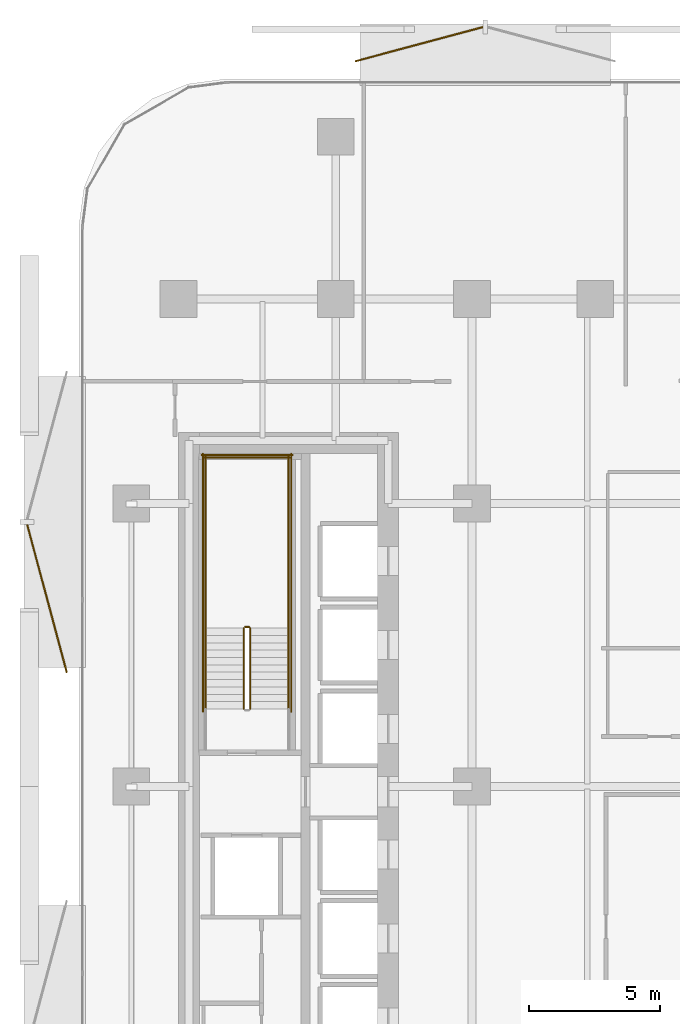
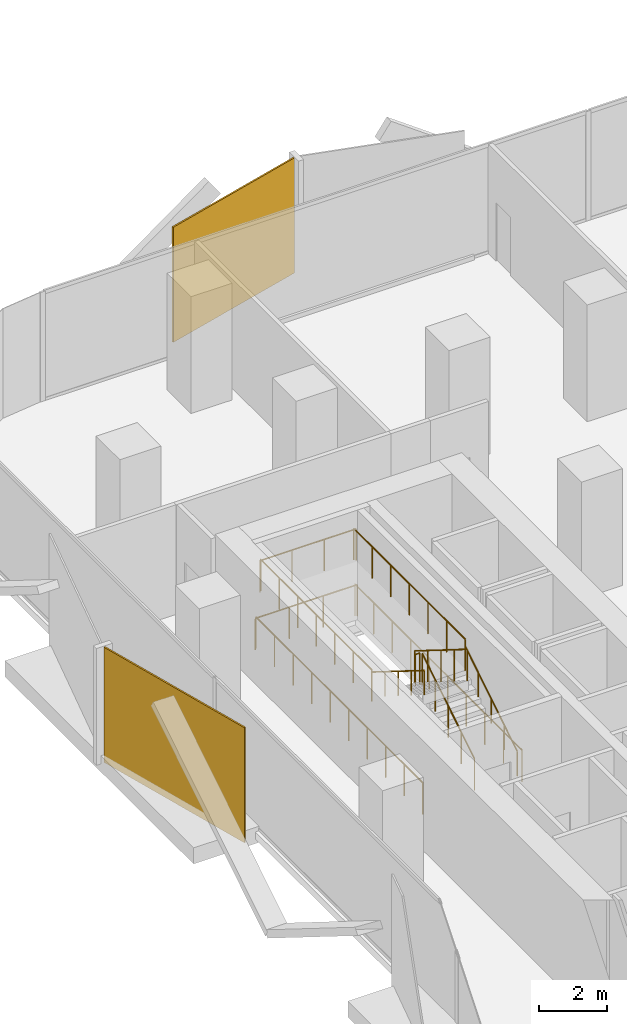
# One storey, part 14 of 15: 11 railings, 2 coverings.
"""IFC4 building model written with IfcOpenShell, lengths in metres."""

from ifc_helpers import new_model, si_unit, direction, frame, origin, origin_2d, place, context, subcontext, project, spatial, rectangle, circle, extrude, material, layer, layer_set, type_object, element, save


model = new_model("IFC4")

# Units and contexts
model_context = context("Model", 3, precision=1e-05, world=origin(), true_north=direction((0.0, 1.0)))
body_context = subcontext(model_context, "Body", "Model", "MODEL_VIEW")
ifc_project = project(units=[si_unit("LENGTHUNIT", "METRE"), si_unit("AREAUNIT", "SQUARE_METRE"), si_unit("VOLUMEUNIT", "CUBIC_METRE"), si_unit("PLANEANGLEUNIT", "RADIAN"), si_unit("MASSUNIT", "GRAM", prefix="KILO")], contexts=[model_context])

# Site, building, storey
site_placement = place(None, origin())
site = spatial("IfcSite", under=ifc_project, at=site_placement, CompositionType="ELEMENT")
building_placement = place(site_placement, origin())
building = spatial("IfcBuilding", under=site, at=building_placement, Name="Khairoan Windgate Tower", CompositionType="ELEMENT")
storey_placement = place(building_placement, frame((0.0, 0.0, 76.39990234375)))
storey = spatial("IfcBuildingStorey", under=building, at=storey_placement, Name="L18", CompositionType="ELEMENT", Elevation=76.39990234375)

# Coverings
ifc_material_1 = material(Name="Anodised Bronze Aluminium 6063-T6", Category="aluminium")
ifc_layer = layer(ifc_material_1, 0.054931640625, Name="Anodised Bronze Aluminium 6063-T6")
ifc_layer_set = layer_set([ifc_layer], Name="Anodised Bronze Aluminium 6063-T6")
covering_type = type_object("IfcCoveringType", Name="Perforated Bronze-Ceramic Folded Solar Screen Cladding BSC-1", PredefinedType="CLADDING", material=ifc_layer_set)
covering_1_placement = place(storey_placement, frame((-25.42236328125, 7.177734375, -0.099609375), z_axis=(0.0, 0.0, 1.0), x_axis=(-0.258819045103, 0.965925826289, 0.0)))
element("IfcCovering", 1, at=covering_1_placement, inside=storey, type_object=covering_type, Name="L18 Folded Bronze Solar Screen Facet 100L", PredefinedType="CLADDING", context=body_context, shape_type="SweptSolid", body=[
    extrude(rectangle(XDim=5.85498046875, YDim=0.054931640625, at=origin_2d()), origin(), (0.0, 0.0, 1.0), 4.139892578125),
])
covering_2_placement = place(storey_placement, frame((-11.220947265625, 28.327392578125, -0.099609375), z_axis=(0.0, 0.0, 1.0), x_axis=(0.965925826289, 0.258819045103, 0.0)))
element("IfcCovering", 2, at=covering_2_placement, inside=storey, type_object=covering_type, Name="L18 Folded Bronze Solar Screen Facet 101L", PredefinedType="CLADDING", context=body_context, shape_type="SweptSolid", body=[
    extrude(rectangle(XDim=5.04296875, YDim=0.054931640625, at=origin_2d()), origin(), (0.0, 0.0, 1.0), 4.139892578125),
])

# Railings
ifc_material_2 = material(Name="Anodised Bronze Aluminium 6063-T6", Category="aluminium")
railing_type_1 = type_object("IfcRailingType", Name="Stair Wall Handrail SHR-900", PredefinedType="HANDRAIL", material=ifc_material_2)
railing_1_placement = place(storey_placement, frame((-16.199951171875, 2.9599609375, 0.175048828125)))
element("IfcRailing", 3, at=railing_1_placement, inside=storey, type_object=railing_type_1, Name="L18 ST2 stair handrail 1", PredefinedType="HANDRAIL", context=body_context, shape_type="SweptSolid", body=[
    extrude(circle(Radius=0.02392578125, at=origin_2d()), frame((0.0, 0.0, 0.8759765625), z_axis=(0.0, 0.847998304005, 0.529998940003), x_axis=(-1.0, 0.0, 0.0)), (0.0, 0.0, 1.0), 3.632080078125),
    extrude(circle(Radius=0.02099609375, at=origin_2d()), origin(), (0.0, 0.0, 1.0), 0.851806640625),
    extrude(circle(Radius=0.02099609375, at=origin_2d()), frame((0.0, 0.77001953125, 0.481201171875)), (0.0, 0.0, 1.0), 0.851806640625),
    extrude(circle(Radius=0.02099609375, at=origin_2d()), frame((0.0, 1.5400390625, 0.96240234375)), (0.0, 0.0, 1.0), 0.851806640625),
    extrude(circle(Radius=0.02099609375, at=origin_2d()), frame((0.0, 2.31005859375, 1.44384765625)), (0.0, 0.0, 1.0), 0.851806640625),
    extrude(circle(Radius=0.02099609375, at=origin_2d()), frame((0.0, 3.080078125, 1.925048828125)), (0.0, 0.0, 1.0), 0.851806640625),
])
railing_2_placement = place(storey_placement, frame((-19.3701171875, 6.0400390625, 2.275146484375)))
element("IfcRailing", 4, at=railing_2_placement, inside=storey, type_object=railing_type_1, Name="L18 ST2 stair handrail 2", PredefinedType="HANDRAIL", context=body_context, shape_type="SweptSolid", body=[
    extrude(circle(Radius=0.02392578125, at=origin_2d()), frame((0.0, 0.0, 0.8759765625), z_axis=(0.0, -0.847998304005, 0.529998940003), x_axis=(1.0, 0.0, 0.0)), (0.0, 0.0, 1.0), 3.632080078125),
    extrude(circle(Radius=0.02099609375, at=origin_2d()), origin(), (0.0, 0.0, 1.0), 0.851806640625),
    extrude(circle(Radius=0.02099609375, at=origin_2d()), frame((0.0, -0.77001953125, 0.481201171875)), (0.0, 0.0, 1.0), 0.851806640625),
    extrude(circle(Radius=0.02099609375, at=origin_2d()), frame((0.0, -1.5400390625, 0.96240234375)), (0.0, 0.0, 1.0), 0.851806640625),
    extrude(circle(Radius=0.02099609375, at=origin_2d()), frame((0.0, -2.31005859375, 1.44384765625)), (0.0, 0.0, 1.0), 0.851806640625),
    extrude(circle(Radius=0.02099609375, at=origin_2d()), frame((0.0, -3.080078125, 1.925048828125)), (0.0, 0.0, 1.0), 0.851806640625),
])
ifc_material_3 = material(Name="Steel S355", Category="steel")
railing_type_2 = type_object("IfcRailingType", Name="Stairwell Safety Guardrail SGR-1150", PredefinedType="GUARDRAIL", material=ifc_material_3)
railing_3_placement = place(storey_placement, frame((-17.659912109375, 2.9599609375, 0.175048828125)))
element("IfcRailing", 5, at=railing_3_placement, inside=storey, type_object=railing_type_2, Name="L18 ST2 stair guard 1", PredefinedType="GUARDRAIL", context=body_context, shape_type="SweptSolid", body=[
    extrude(circle(Radius=0.02392578125, at=origin_2d()), frame((0.0, 0.0, 1.1259765625), z_axis=(0.0, 0.847998304005, 0.529998940003), x_axis=(-1.0, 0.0, 0.0)), (0.0, 0.0, 1.0), 3.632080078125),
    extrude(circle(Radius=0.02099609375, at=origin_2d()), origin(), (0.0, 0.0, 1.0), 1.101806640625),
    extrude(circle(Radius=0.02099609375, at=origin_2d()), frame((0.0, 0.77001953125, 0.481201171875)), (0.0, 0.0, 1.0), 1.101806640625),
    extrude(circle(Radius=0.02099609375, at=origin_2d()), frame((0.0, 1.5400390625, 0.96240234375)), (0.0, 0.0, 1.0), 1.101806640625),
    extrude(circle(Radius=0.02099609375, at=origin_2d()), frame((0.0, 2.31005859375, 1.44384765625)), (0.0, 0.0, 1.0), 1.101806640625),
    extrude(circle(Radius=0.02099609375, at=origin_2d()), frame((0.0, 3.080078125, 1.925048828125)), (0.0, 0.0, 1.0), 1.101806640625),
])
railing_4_placement = place(storey_placement, frame((-17.7099609375, 6.090087890625, 2.10009765625)))
element("IfcRailing", 6, at=railing_4_placement, inside=storey, type_object=railing_type_2, Name="L18 ST2 stair guard 2", PredefinedType="GUARDRAIL", context=body_context, shape_type="SweptSolid", body=[
    extrude(circle(Radius=0.02392578125, at=origin_2d()), frame((0.0, 0.0, 1.1259765625), z_axis=(-1.0, 0.0, 0.0), x_axis=(0.0, -1.0, 0.0)), (0.0, 0.0, 1.0), 0.150146484375),
    extrude(circle(Radius=0.02099609375, at=origin_2d()), origin(), (0.0, 0.0, 1.0), 1.101806640625),
    extrude(circle(Radius=0.02099609375, at=origin_2d()), frame((-0.150146484375, 0.0, 0.0)), (0.0, 0.0, 1.0), 1.101806640625),
])
for number, where, name in (
    (7, (-16.199951171875, 6.0400390625, 2.10009765625), "L18 ST2 stair guard 3"),
    (8, (-19.3701171875, 6.0400390625, 2.10009765625), "L18 ST2 stair guard 4"),
):
    element("IfcRailing", number, at=place(storey_placement, frame(where)), inside=storey, type_object=railing_type_2, Name=name, PredefinedType="GUARDRAIL", context=body_context, shape_type="SweptSolid", body=[
        extrude(circle(Radius=0.02392578125, at=origin_2d()), frame((0.0, 0.0, 1.1259765625), z_axis=(0.0, 1.0, 0.0), x_axis=(-1.0, 0.0, 0.0)), (0.0, 0.0, 1.0), 6.56005859375),
        extrude(circle(Radius=0.02099609375, at=origin_2d()), origin(), (0.0, 0.0, 1.0), 1.101806640625),
        extrude(circle(Radius=0.02099609375, at=origin_2d()), frame((0.0, 1.09326171875, 0.0)), (0.0, 0.0, 1.0), 1.101806640625),
        extrude(circle(Radius=0.02099609375, at=origin_2d()), frame((0.0, 2.186767578125, 0.0)), (0.0, 0.0, 1.0), 1.101806640625),
        extrude(circle(Radius=0.02099609375, at=origin_2d()), frame((0.0, 3.280029296875, 0.0)), (0.0, 0.0, 1.0), 1.101806640625),
        extrude(circle(Radius=0.02099609375, at=origin_2d()), frame((0.0, 4.373291015625, 0.0)), (0.0, 0.0, 1.0), 1.101806640625),
        extrude(circle(Radius=0.02099609375, at=origin_2d()), frame((0.0, 5.466796875, 0.0)), (0.0, 0.0, 1.0), 1.101806640625),
        extrude(circle(Radius=0.02099609375, at=origin_2d()), frame((0.0, 6.56005859375, 0.0)), (0.0, 0.0, 1.0), 1.101806640625),
    ])
railing_5_placement = place(storey_placement, frame((-16.14990234375, 12.550048828125, 2.10009765625)))
element("IfcRailing", 9, at=railing_5_placement, inside=storey, type_object=railing_type_2, Name="L18 ST2 stair guard 5", PredefinedType="GUARDRAIL", context=body_context, shape_type="SweptSolid", body=[
    extrude(circle(Radius=0.02392578125, at=origin_2d()), frame((0.0, 0.0, 1.1259765625), z_axis=(-1.0, 0.0, 0.0), x_axis=(0.0, -1.0, 0.0)), (0.0, 0.0, 1.0), 3.27001953125),
    extrude(circle(Radius=0.02099609375, at=origin_2d()), origin(), (0.0, 0.0, 1.0), 1.101806640625),
    extrude(circle(Radius=0.02099609375, at=origin_2d()), frame((-1.090087890625, 0.0, 0.0)), (0.0, 0.0, 1.0), 1.101806640625),
    extrude(circle(Radius=0.02099609375, at=origin_2d()), frame((-2.179931640625, 0.0, 0.0)), (0.0, 0.0, 1.0), 1.101806640625),
    extrude(circle(Radius=0.02099609375, at=origin_2d()), frame((-3.27001953125, 0.0, 0.0)), (0.0, 0.0, 1.0), 1.101806640625),
])
railing_6_placement = place(storey_placement, frame((-17.909912109375, 6.0400390625, 2.275146484375)))
element("IfcRailing", 10, at=railing_6_placement, inside=storey, type_object=railing_type_2, Name="L18 ST2 stair guard 6", PredefinedType="GUARDRAIL", context=body_context, shape_type="SweptSolid", body=[
    extrude(circle(Radius=0.02392578125, at=origin_2d()), frame((0.0, 0.0, 1.1259765625), z_axis=(0.0, -0.847998304005, 0.529998940003), x_axis=(1.0, 0.0, 0.0)), (0.0, 0.0, 1.0), 3.632080078125),
    extrude(circle(Radius=0.02099609375, at=origin_2d()), origin(), (0.0, 0.0, 1.0), 1.101806640625),
    extrude(circle(Radius=0.02099609375, at=origin_2d()), frame((0.0, -0.77001953125, 0.481201171875)), (0.0, 0.0, 1.0), 1.101806640625),
    extrude(circle(Radius=0.02099609375, at=origin_2d()), frame((0.0, -1.5400390625, 0.96240234375)), (0.0, 0.0, 1.0), 1.101806640625),
    extrude(circle(Radius=0.02099609375, at=origin_2d()), frame((0.0, -2.31005859375, 1.44384765625)), (0.0, 0.0, 1.0), 1.101806640625),
    extrude(circle(Radius=0.02099609375, at=origin_2d()), frame((0.0, -3.080078125, 1.925048828125)), (0.0, 0.0, 1.0), 1.101806640625),
])
for number, where, name in (
    (11, (-16.10009765625, 2.860107421875, 0.0), "L18 ST2 stair guard 10"),
    (12, (-19.469970703125, 2.860107421875, 0.0), "L18 ST2 stair guard 11"),
):
    element("IfcRailing", number, at=place(storey_placement, frame(where)), inside=storey, type_object=railing_type_2, Name=name, PredefinedType="GUARDRAIL", context=body_context, shape_type="SweptSolid", body=[
        extrude(circle(Radius=0.02392578125, at=origin_2d()), frame((0.0, 0.0, 1.1259765625), z_axis=(0.0, 1.0, 0.0), x_axis=(-1.0, 0.0, 0.0)), (0.0, 0.0, 1.0), 9.83984375),
        extrude(circle(Radius=0.02099609375, at=origin_2d()), origin(), (0.0, 0.0, 1.0), 1.101806640625),
        extrude(circle(Radius=0.02099609375, at=origin_2d()), frame((0.0, 1.09326171875, 0.0)), (0.0, 0.0, 1.0), 1.101806640625),
        extrude(circle(Radius=0.02099609375, at=origin_2d()), frame((0.0, 2.1865234375, 0.0)), (0.0, 0.0, 1.0), 1.101806640625),
        extrude(circle(Radius=0.02099609375, at=origin_2d()), frame((0.0, 3.280029296875, 0.0)), (0.0, 0.0, 1.0), 1.101806640625),
        extrude(circle(Radius=0.02099609375, at=origin_2d()), frame((0.0, 4.373291015625, 0.0)), (0.0, 0.0, 1.0), 1.101806640625),
        extrude(circle(Radius=0.02099609375, at=origin_2d()), frame((0.0, 5.466552734375, 0.0)), (0.0, 0.0, 1.0), 1.101806640625),
        extrude(circle(Radius=0.02099609375, at=origin_2d()), frame((0.0, 6.559814453125, 0.0)), (0.0, 0.0, 1.0), 1.101806640625),
        extrude(circle(Radius=0.02099609375, at=origin_2d()), frame((0.0, 7.6533203125, 0.0)), (0.0, 0.0, 1.0), 1.101806640625),
        extrude(circle(Radius=0.02099609375, at=origin_2d()), frame((0.0, 8.74658203125, 0.0)), (0.0, 0.0, 1.0), 1.101806640625),
        extrude(circle(Radius=0.02099609375, at=origin_2d()), frame((0.0, 9.83984375, 0.0)), (0.0, 0.0, 1.0), 1.101806640625),
    ])
railing_7_placement = place(storey_placement, frame((-16.050048828125, 12.64990234375, 0.0)))
element("IfcRailing", 13, at=railing_7_placement, inside=storey, type_object=railing_type_2, Name="L18 ST2 stair guard 12", PredefinedType="GUARDRAIL", context=body_context, shape_type="SweptSolid", body=[
    extrude(circle(Radius=0.02392578125, at=origin_2d()), frame((0.0, 0.0, 1.1259765625), z_axis=(-1.0, 0.0, 0.0), x_axis=(0.0, -1.0, 0.0)), (0.0, 0.0, 1.0), 3.469970703125),
    extrude(circle(Radius=0.02099609375, at=origin_2d()), origin(), (0.0, 0.0, 1.0), 1.101806640625),
    extrude(circle(Radius=0.02099609375, at=origin_2d()), frame((-1.15673828125, 0.0, 0.0)), (0.0, 0.0, 1.0), 1.101806640625),
    extrude(circle(Radius=0.02099609375, at=origin_2d()), frame((-2.313232421875, 0.0, 0.0)), (0.0, 0.0, 1.0), 1.101806640625),
    extrude(circle(Radius=0.02099609375, at=origin_2d()), frame((-3.469970703125, 0.0, 0.0)), (0.0, 0.0, 1.0), 1.101806640625),
])

save(model, "model.ifc")
